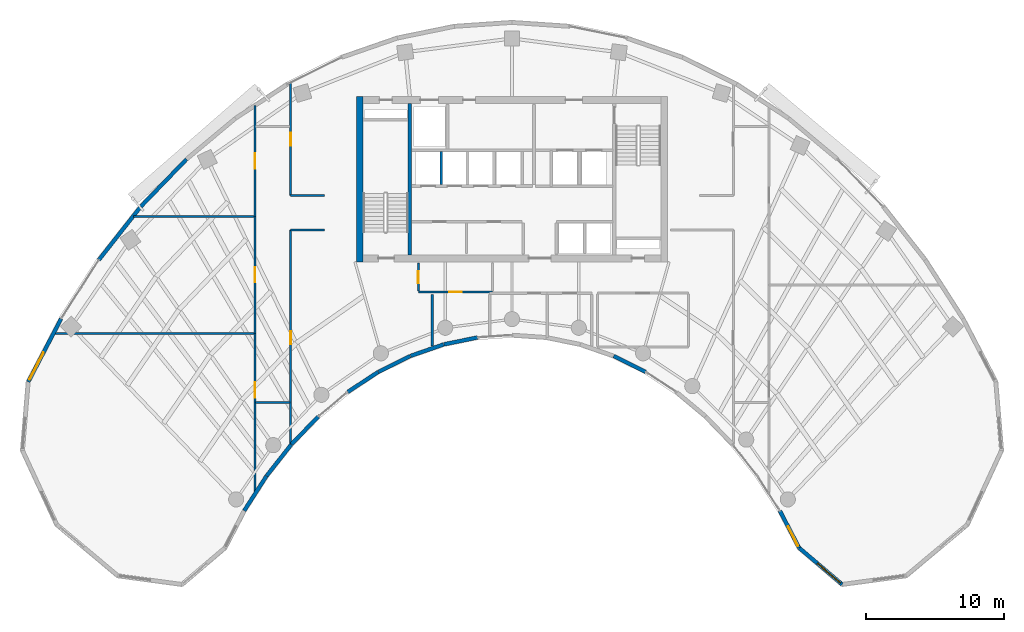
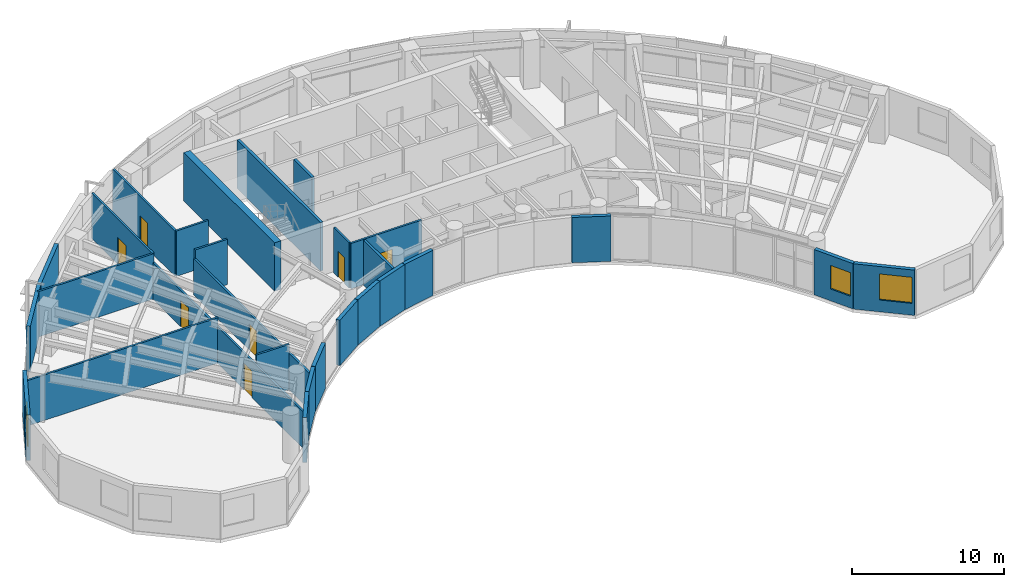
# One storey, part 7 of 12: 29 walls, 7 doors, 3 windows, 10 openings.
"""IFC4 building model written with IfcOpenShell, lengths in metres."""

import ifcopenshell
import ifcopenshell.guid

model = None  # the IFC model being written
_history = None  # IfcOwnerHistory: only IFC2X3 demands one
_inside = {}  # id of a spatial element -> (the spatial element, [elements in it])
_under = {}  # id of a project, library or spatial element -> (it, [spatial elements below it])
_declared = {}  # id of a project -> (the project, [libraries it declares])
_typed = {}  # id of a type object -> (the type object, [elements of that type])
_made_of = {}  # id of a material, layer set ... -> (it, [elements and type objects made of it])


def new_model(schema):
    """Start an empty IFC model of exactly this schema.

    Asked for "IFC4X3", IfcOpenShell would pick the latest addendum, in which some entities
    have other attributes; the version numbers below select the first issue.
    IFC2X3 requires an IfcOwnerHistory on every rooted entity: one is made here for all.
    """
    global model, _history
    if schema == "IFC4X3":
        model = ifcopenshell.file(schema_version=(4, 3, 0, 0))
    else:
        model = ifcopenshell.file(schema=schema)
    _inside.clear()
    _under.clear()
    _declared.clear()
    _typed.clear()
    _made_of.clear()
    _history = None
    if model.schema == "IFC2X3":
        org = make("IfcOrganization", Name="unknown")
        user = make(
            "IfcPersonAndOrganization",
            ThePerson=make("IfcPerson", FamilyName="unknown"),
            TheOrganization=org,
        )
        app = make(
            "IfcApplication",
            ApplicationDeveloper=org,
            Version="unknown",
            ApplicationFullName="unknown",
            ApplicationIdentifier="unknown",
        )
        _history = make(
            "IfcOwnerHistory",
            OwningUser=user,
            OwningApplication=app,
            ChangeAction="ADDED",
            CreationDate=0,
        )
    return model


def make(cls, **values):
    """One entity of the class cls with the attributes given. An attribute that is None is left unset."""
    return model.create_entity(
        cls, **{name: value for name, value in values.items() if value is not None}
    )


def rooted(cls, **values):
    """An entity with a GlobalId (a new one), such as an element, a storey or a relation."""
    return make(cls, GlobalId=ifcopenshell.guid.new(), OwnerHistory=_history, **values)


def si_unit(unit_type, name, prefix=None):
    """IfcSIUnit, for example si_unit("LENGTHUNIT", "METRE", prefix="MILLI")."""
    return make("IfcSIUnit", UnitType=unit_type, Prefix=prefix, Name=name)


def assignment(units):
    """IfcUnitAssignment: the units of a project."""
    return None if units is None else make("IfcUnitAssignment", Units=units)


def point(xyz):
    """IfcCartesianPoint."""
    return None if xyz is None else make("IfcCartesianPoint", Coordinates=xyz)


def direction(xyz):
    """IfcDirection."""
    return None if xyz is None else make("IfcDirection", DirectionRatios=xyz)


def frame(location, z_axis=None, x_axis=None):
    """IfcAxis2Placement3D, a coordinate frame: its origin and axes. An axis left out is left unset."""
    return make(
        "IfcAxis2Placement3D",
        Location=point(location),
        Axis=direction(z_axis),
        RefDirection=direction(x_axis),
    )


def frame_2d(location, x_axis=None):
    """IfcAxis2Placement2D, a coordinate frame in the plane: its origin and x axis."""
    return make(
        "IfcAxis2Placement2D", Location=point(location), RefDirection=direction(x_axis)
    )


def origin():
    """The frame at (0, 0, 0) with its axes left unset."""
    return frame((0.0, 0.0, 0.0))


def place(relative_to, where):
    """IfcLocalPlacement: puts the frame where relative to a parent placement (None: the world)."""
    return make(
        "IfcLocalPlacement", PlacementRelTo=relative_to, RelativePlacement=where
    )


def context(
    kind, dimensions, precision=None, world=None, true_north=None, identifier=None
):
    """IfcGeometricRepresentationContext, for example the 3D "Model" context."""
    return make(
        "IfcGeometricRepresentationContext",
        ContextIdentifier=identifier,
        ContextType=kind,
        CoordinateSpaceDimension=dimensions,
        Precision=precision,
        WorldCoordinateSystem=world,
        TrueNorth=true_north,
    )


def subcontext(parent, identifier, kind, view, scale=None):
    """IfcGeometricRepresentationSubContext, for example "Body" below "Model"."""
    return make(
        "IfcGeometricRepresentationSubContext",
        ContextIdentifier=identifier,
        ContextType=kind,
        ParentContext=parent,
        TargetScale=scale,
        TargetView=view,
    )


def project(units=None, contexts=None):
    """IfcProject with its units and contexts."""
    return rooted(
        "IfcProject",
        Name="project",
        RepresentationContexts=contexts,
        UnitsInContext=assignment(units),
    )


def spatial(cls, under=None, at=None, **own):
    """A site, building, storey or space (cls), placed at a placement, below another one or the project."""
    s = rooted(cls, ObjectPlacement=at, **own)
    if under is not None:
        _under.setdefault(under.id(), (under, []))[1].append(s)
    return s


def profile(cls, at=None, kind="AREA", **sizes):
    """A parametric profile (cls). Its sizes go by their IFC names, for example OverallWidth=200.0."""
    return make(cls, ProfileType=kind, Position=at, **sizes)


def rectangle(**sizes):
    """IfcRectangleProfileDef."""
    return profile("IfcRectangleProfileDef", **sizes)


def extrude(swept, where, along, depth):
    """IfcExtrudedAreaSolid: the profile swept, set in the frame where, extruded along a direction by depth."""
    return make(
        "IfcExtrudedAreaSolid",
        SweptArea=swept,
        Position=where,
        ExtrudedDirection=direction(along),
        Depth=depth,
    )


def shape(context_of_items, identifier, shape_type, items):
    """IfcShapeRepresentation: the items that make up one representation, for example the "Body"."""
    return make(
        "IfcShapeRepresentation",
        ContextOfItems=context_of_items,
        RepresentationIdentifier=identifier,
        RepresentationType=shape_type,
        Items=items,
    )


def source(mapping_origin, context_of_items, identifier, shape_type, items):
    """IfcRepresentationMap: a shape defined once, which mapped items show again and again."""
    return make(
        "IfcRepresentationMap",
        MappingOrigin=mapping_origin,
        MappedRepresentation=shape(context_of_items, identifier, shape_type, items),
    )


def transform(
    local_origin,
    x_axis=None,
    y_axis=None,
    z_axis=None,
    scale=None,
    scale2=None,
    scale3=None,
    uniform=True,
):
    """IfcCartesianTransformationOperator3D, or its non-uniform kind. x_axis, y_axis, z_axis: its Axis1, 2, 3."""
    if uniform:
        return make(
            "IfcCartesianTransformationOperator3D",
            Axis1=direction(x_axis),
            Axis2=direction(y_axis),
            LocalOrigin=point(local_origin),
            Scale=scale,
            Axis3=direction(z_axis),
        )
    return make(
        "IfcCartesianTransformationOperator3DnonUniform",
        Axis1=direction(x_axis),
        Axis2=direction(y_axis),
        LocalOrigin=point(local_origin),
        Scale=scale,
        Axis3=direction(z_axis),
        Scale2=scale2,
        Scale3=scale3,
    )


def mapped(mapping_source, mapping_target):
    """IfcMappedItem: shows the shape of a source again, moved by a transform."""
    return make(
        "IfcMappedItem", MappingSource=mapping_source, MappingTarget=mapping_target
    )


def material(Name=None, Category=None):
    """IfcMaterial."""
    return make("IfcMaterial", Name=Name, Category=Category)


def layer(
    of_material, thickness, ventilated=None, Name=None, Category=None, Priority=None
):
    """IfcMaterialLayer: one layer of a wall or slab, of a material (None: an air gap)."""
    return make(
        "IfcMaterialLayer",
        Material=of_material,
        LayerThickness=thickness,
        IsVentilated=ventilated,
        Name=Name,
        Category=Category,
        Priority=Priority,
    )


def layer_set(layers, Name=None):
    """IfcMaterialLayerSet."""
    return make("IfcMaterialLayerSet", MaterialLayers=layers, LayerSetName=Name)


def made_of(thing, what):
    """Note that an element or type object is made of a material, layer set ...; save() writes the relation."""
    if what is not None:
        _made_of.setdefault(what.id(), (what, []))[1].append(thing)
    return thing


def type_object(cls, material=None, **own):
    """A type object (cls), such as IfcWallType, which elements share."""
    return made_of(rooted(cls, **own), material)


def type_shapes(of_type, sources):
    """Give a type object the sources (RepresentationMaps) that its elements show as mapped items."""
    of_type.RepresentationMaps = sources


def element(
    cls,
    number,
    at=None,
    inside=None,
    cuts=None,
    type_object=None,
    material=None,
    context=None,
    identifier="Body",
    shape_type=None,
    held_by="IfcProductDefinitionShape",
    body=None,
    shapes=None,
    **own,
):
    """One element of the class cls, such as IfcWall. Its Tag is "e" and its number.

    at: its placement. inside: the storey or other place that contains it. cuts: it is an
    opening in that element (IfcRelVoidsElement). A single representation is given by context,
    identifier, shape_type and body (its items); several are given by shapes. held_by: the class
    of the entity that holds the representations. save() writes the other relations.
    """
    e = rooted(cls, Tag="e%d" % number, ObjectPlacement=at, **own)
    if body is not None:
        shapes = [shape(context, identifier, shape_type, body)]
    if shapes is not None:
        e.Representation = make(held_by, Representations=shapes)
    if inside is not None:
        _inside.setdefault(inside.id(), (inside, []))[1].append(e)
    if cuts is not None:
        rooted(
            "IfcRelVoidsElement", RelatingBuildingElement=cuts, RelatedOpeningElement=e
        )
    if type_object is not None:
        _typed.setdefault(type_object.id(), (type_object, []))[1].append(e)
    return made_of(e, material)


def fill(opening, filler):
    """IfcRelFillsElement: the door or window that sits in an opening."""
    return rooted(
        "IfcRelFillsElement",
        RelatingOpeningElement=opening,
        RelatedBuildingElement=filler,
    )


def aggregate(whole, parts):
    """IfcRelAggregates: a whole, such as a stair, and the parts it consists of."""
    return rooted("IfcRelAggregates", RelatingObject=whole, RelatedObjects=parts)


def save(model, path):
    """Write the relations noted so far, then the file.

    IfcRelAggregates (storeys below a building ...), IfcRelContainedInSpatialStructure (elements
    in a storey), IfcRelDefinesByType, IfcRelAssociatesMaterial and IfcRelDeclares: one each for
    every whole, place, type object, material and project.
    """
    for whole, parts in _under.values():
        aggregate(whole, parts)
    for where, things in _inside.values():
        rooted(
            "IfcRelContainedInSpatialStructure",
            RelatedElements=things,
            RelatingStructure=where,
        )
    for kind, things in _typed.values():
        rooted("IfcRelDefinesByType", RelatedObjects=things, RelatingType=kind)
    for what, things in _made_of.values():
        rooted("IfcRelAssociatesMaterial", RelatedObjects=things, RelatingMaterial=what)
    for by, libraries in _declared.values():
        rooted("IfcRelDeclares", RelatingContext=by, RelatedDefinitions=libraries)
    model.write(path)


model = new_model("IFC4")

# Units and contexts
model_context = context("Model", 3, precision=1e-05, world=origin(), true_north=direction((0.0, 1.0)))
body_context = subcontext(model_context, "Body", "Model", "MODEL_VIEW")
ifc_project = project(units=[si_unit("LENGTHUNIT", "METRE"), si_unit("AREAUNIT", "SQUARE_METRE"), si_unit("VOLUMEUNIT", "CUBIC_METRE"), si_unit("PLANEANGLEUNIT", "RADIAN"), si_unit("MASSUNIT", "GRAM", prefix="KILO")], contexts=[model_context])

# Site, building, storey
site_placement = place(None, origin())
site = spatial("IfcSite", under=ifc_project, at=site_placement, CompositionType="ELEMENT")
building_placement = place(site_placement, origin())
building = spatial("IfcBuilding", under=site, at=building_placement, Name="Breltana Convention Tower", CompositionType="ELEMENT")
storey_placement = place(building_placement, frame((0.0, 0.0, 150.60009765625)))
storey = spatial("IfcBuildingStorey", under=building, at=storey_placement, Name="L36", CompositionType="ELEMENT", Elevation=150.60009765625)

# Walls
ifc_material_1 = material(Name="Concrete C60/75", Category="concrete")
ifc_layer_1 = layer(ifc_material_1, 0.5, Name="Concrete C60/75")
ifc_layer_set_1 = layer_set([ifc_layer_1], Name="Concrete C60/75")
wall_type_1 = type_object("IfcWallType", Name="SW-CORE-500", PredefinedType="SHEAR", material=ifc_layer_set_1)
shared_shape_1 = source(origin(), body_context, "Body", "SweptSolid", [
    extrude(rectangle(XDim=12.0, YDim=0.5, at=frame_2d((6.0, 0.0))), origin(), (0.0, 0.0, 1.0), 3.89990234375),
])
wall_1_placement = place(storey_placement, frame((36.949951171875, 60.199951171875, 0.0), z_axis=(0.0, 0.0, 1.0), x_axis=(0.0, 1.0, 0.0)))
element("IfcWall", 1, at=wall_1_placement, inside=storey, type_object=wall_type_1, Name="L36 West Core Shear Wall", PredefinedType="SHEAR", context=body_context, shape_type="MappedRepresentation", body=[
    mapped(shared_shape_1, transform((0.0, 0.0, 0.0), scale=1.0)),
])
ifc_material_2 = material(Name="Concrete C50/60", Category="concrete")
ifc_layer_2 = layer(ifc_material_2, 0.39990234375, Name="Concrete C50/60")
ifc_layer_set_2 = layer_set([ifc_layer_2], Name="Concrete C50/60")
wall_type_2 = type_object("IfcWallType", Name="SW-CORE-400", PredefinedType="SHEAR", material=ifc_layer_set_2)
shared_shape_2 = source(origin(), body_context, "Body", "SweptSolid", [
    extrude(rectangle(XDim=11.0, YDim=0.219970703125, at=frame_2d((5.5, 0.0))), origin(), (0.0, 0.0, 1.0), 3.89990234375),
])
wall_2_placement = place(storey_placement, frame((40.580078125, 60.699951171875, 0.0), z_axis=(0.0, 0.0, 1.0), x_axis=(0.0, 1.0, 0.0)))
element("IfcWall", 2, at=wall_2_placement, inside=storey, type_object=wall_type_2, Name="L36 Core West Stair Spine Wall", PredefinedType="SHEAR", context=body_context, shape_type="MappedRepresentation", body=[
    mapped(shared_shape_2, transform((0.0, 0.0, 0.0), scale=1.0)),
])

# Wall, opening, window
ifc_material_3 = material(Name="Limestone Buff Insulated Wall", Category="masonry")
ifc_layer_3 = layer(ifc_material_3, 0.280029296875, Name="Limestone Buff Insulated Wall")
ifc_layer_set_3 = layer_set([ifc_layer_3], Name="Limestone Buff Insulated Wall")
wall_type_3 = type_object("IfcWallType", Name="WL-EXT-NOSE-280", PredefinedType="SOLIDWALL", material=ifc_layer_set_3)
shared_shape_3 = source(origin(), body_context, "Body", "SweptSolid", [
    extrude(rectangle(XDim=4.095947265625, YDim=0.280029296875, at=frame_2d((2.0478515625, 0.0))), origin(), (0.0, 0.0, 1.0), 3.64990234375),
])
wall_3_placement = place(storey_placement, frame((71.95654296875, 36.78759765625, 0.0), z_axis=(0.0, 0.0, 1.0), x_axis=(-0.761926081737, 0.647663991564, 0.0)))
wall_3 = element("IfcWall", 3, at=wall_3_placement, inside=storey, type_object=wall_type_3, Name="L36 curved limestone nose wall E5", PredefinedType="SOLIDWALL", context=body_context, shape_type="MappedRepresentation", body=[
    mapped(shared_shape_3, transform((0.0, 0.0, 0.0), scale=1.0)),
])
opening_1_placement = place(wall_3_placement, frame((0.159912109375, 0.0, 0.949951171875)))
opening_1 = element("IfcOpeningElement", 4, at=opening_1_placement, cuts=wall_3, Name="Opening W-03", PredefinedType="OPENING", context=body_context, shape_type="SweptSolid", body=[
    extrude(rectangle(XDim=2.199951171875, YDim=2.10009765625, at=frame_2d((1.10009765625, 1.050048828125))), frame((0.0, 0.14990234375, 0.0), z_axis=(0.0, -1.0, 0.0), x_axis=(1.0, 0.0, 0.0)), (0.0, 0.0, 1.0), 0.300048828125),
])
ifc_material_4 = material(Name="Glass Low-E Insulated Window", Category="glass")
window_type_1 = type_object("IfcWindowType", Name="WN-NOSE-2200X2100", PartitioningType="TRIPLE_PANEL_VERTICAL", PredefinedType="WINDOW", material=ifc_material_4)
shared_shape_4 = source(origin(), body_context, "Body", "SweptSolid", [
    extrude(rectangle(XDim=2.199951171875, YDim=2.10009765625, at=frame_2d((1.10009765625, 1.050048828125))), frame((0.0, 0.030029296875, 0.0), z_axis=(0.0, -1.0, 0.0), x_axis=(1.0, 0.0, 0.0)), (0.0, 0.0, 1.0), 0.06005859375),
])
type_shapes(window_type_1, [shared_shape_4])
window_1_placement = place(opening_1_placement, origin())
window_1 = element("IfcWindow", 5, at=window_1_placement, inside=storey, type_object=window_type_1, Name="L36 nose window E5", OverallHeight=2.10009765625, OverallWidth=2.199951171875, PartitioningType="TRIPLE_PANEL_VERTICAL", PredefinedType="WINDOW", context=body_context, shape_type="MappedRepresentation", body=[
    mapped(shared_shape_4, transform((0.0, 0.0, 0.0), scale=1.0)),
])
fill(opening_1, window_1)

shared_shape_5 = source(origin(), body_context, "Body", "SweptSolid", [
    extrude(rectangle(XDim=3.02392578125, YDim=0.280029296875, at=frame_2d((1.511962890625, 0.0))), origin(), (0.0, 0.0, 1.0), 3.64990234375),
])
wall_4_placement = place(storey_placement, frame((68.835693359375, 39.4404296875, 0.0), z_axis=(0.0, 0.0, 1.0), x_axis=(-0.461718746531, 0.887026380161, 0.0)))
wall_4 = element("IfcWall", 6, at=wall_4_placement, inside=storey, type_object=wall_type_3, Name="L36 curved limestone nose wall E6", PredefinedType="SOLIDWALL", context=body_context, shape_type="MappedRepresentation", body=[
    mapped(shared_shape_5, transform((0.0, 0.0, 0.0), scale=1.0)),
])
opening_2_placement = place(wall_4_placement, frame((0.159912109375, 0.0, 0.949951171875)))
opening_2 = element("IfcOpeningElement", 7, at=opening_2_placement, cuts=wall_4, Name="Opening W-04", PredefinedType="OPENING", context=body_context, shape_type="SweptSolid", body=[
    extrude(rectangle(XDim=1.60009765625, YDim=1.89990234375, at=frame_2d((0.800048828125, 0.949951171875))), frame((0.0, 0.14990234375, 0.0), z_axis=(0.0, -1.0, 0.0), x_axis=(1.0, 0.0, 0.0)), (0.0, 0.0, 1.0), 0.300048828125),
])
window_type_2 = type_object("IfcWindowType", Name="WN-NOSE-1600X1900", PartitioningType="SINGLE_PANEL", PredefinedType="WINDOW", material=ifc_material_4)
shared_shape_6 = source(origin(), body_context, "Body", "SweptSolid", [
    extrude(rectangle(XDim=1.60009765625, YDim=1.89990234375, at=frame_2d((0.800048828125, 0.949951171875))), frame((0.0, 0.030029296875, 0.0), z_axis=(0.0, -1.0, 0.0), x_axis=(1.0, 0.0, 0.0)), (0.0, 0.0, 1.0), 0.06005859375),
])
type_shapes(window_type_2, [shared_shape_6])
window_2_placement = place(opening_2_placement, origin())
window_2 = element("IfcWindow", 8, at=window_2_placement, inside=storey, type_object=window_type_2, Name="L36 nose window E6", OverallHeight=1.89990234375, OverallWidth=1.60009765625, PartitioningType="SINGLE_PANEL", PredefinedType="WINDOW", context=body_context, shape_type="MappedRepresentation", body=[
    mapped(shared_shape_6, transform((0.0, 0.0, 0.0), scale=1.0)),
])
fill(opening_2, window_2)

# Walls
shared_shape_7 = source(origin(), body_context, "Body", "SweptSolid", [
    extrude(rectangle(XDim=2.812255859375, YDim=0.280029296875, at=frame_2d((1.40625, 0.0))), origin(), (0.0, 0.0, 1.0), 3.64990234375),
])
wall_5_placement = place(storey_placement, frame((33.945068359375, 48.973388671875, 0.0), z_axis=(0.0, 0.0, 1.0), x_axis=(-0.694583668785, -0.719411931411, 0.0)))
element("IfcWall", 9, at=wall_5_placement, inside=storey, type_object=wall_type_3, Name="L36 curved limestone nose wall E17", PredefinedType="SOLIDWALL", context=body_context, shape_type="MappedRepresentation", body=[
    mapped(shared_shape_7, transform((0.0, 0.0, 0.0), scale=1.0)),
])
shared_shape_8 = source(origin(), body_context, "Body", "SweptSolid", [
    extrude(rectangle(XDim=2.58447265625, YDim=0.280029296875, at=frame_2d((1.292236328125, 0.0))), origin(), (0.0, 0.0, 1.0), 3.64990234375),
])
for number, where, z_axis, x_axis, name in (
    (10, (57.692138671875, 52.21337890625, 0.0), (0.0, 0.0, 1.0), (-0.895989792847, 0.44407464588, 0.0), "L36 curved limestone nose wall E9"),
    (11, (40.62353515625, 53.361083984375, 0.0), (0.0, 0.0, 1.0), (-0.895989792847, -0.44407464588, 0.0), "L36 curved limestone nose wall E15"),
):
    element("IfcWall", number, at=place(storey_placement, frame(where, z_axis=z_axis, x_axis=x_axis)), inside=storey, type_object=wall_type_3, Name=name, PredefinedType="SOLIDWALL", context=body_context, shape_type="MappedRepresentation", body=[
        mapped(shared_shape_8, transform((0.0, 0.0, 0.0), scale=1.0)),
    ])
shared_shape_9 = source(origin(), body_context, "Body", "SweptSolid", [
    extrude(rectangle(XDim=2.52978515625, YDim=0.280029296875, at=frame_2d((1.264892578125, 0.0))), origin(), (0.0, 0.0, 1.0), 3.64990234375),
])
wall_6_placement = place(storey_placement, frame((43.034912109375, 54.1982421875, 0.0), z_axis=(0.0, 0.0, 1.0), x_axis=(-0.944872429646, -0.327438683872, 0.0)))
element("IfcWall", 12, at=wall_6_placement, inside=storey, type_object=wall_type_3, Name="L36 curved limestone nose wall E14", PredefinedType="SOLIDWALL", context=body_context, shape_type="MappedRepresentation", body=[
    mapped(shared_shape_9, transform((0.0, 0.0, 0.0), scale=1.0)),
])
shared_shape_10 = source(origin(), body_context, "Body", "SweptSolid", [
    extrude(rectangle(XDim=2.4912109375, YDim=0.280029296875, at=frame_2d((1.24560546875, 0.0))), origin(), (0.0, 0.0, 1.0), 3.64990234375),
])
wall_7_placement = place(storey_placement, frame((45.498046875, 54.704833984375, 0.0), z_axis=(0.0, 0.0, 1.0), x_axis=(-0.979630885979, -0.200806691214, 0.0)))
element("IfcWall", 13, at=wall_7_placement, inside=storey, type_object=wall_type_3, Name="L36 curved limestone nose wall E13", PredefinedType="SOLIDWALL", context=body_context, shape_type="MappedRepresentation", body=[
    mapped(shared_shape_10, transform((0.0, 0.0, 0.0), scale=1.0)),
])
shared_shape_11 = source(origin(), body_context, "Body", "SweptSolid", [
    extrude(rectangle(XDim=2.65234375, YDim=0.280029296875, at=frame_2d((1.326171875, 0.0))), origin(), (0.0, 0.0, 1.0), 3.64990234375),
])
wall_8_placement = place(storey_placement, frame((38.2890625, 52.202392578125, 0.0), z_axis=(0.0, 0.0, 1.0), x_axis=(-0.836008323535, -0.54871676025, 0.0)))
element("IfcWall", 14, at=wall_8_placement, inside=storey, type_object=wall_type_3, Name="L36 curved limestone nose wall E16", PredefinedType="SOLIDWALL", context=body_context, shape_type="MappedRepresentation", body=[
    mapped(shared_shape_11, transform((0.0, 0.0, 0.0), scale=1.0)),
])
shared_shape_12 = source(origin(), body_context, "Body", "SweptSolid", [
    extrude(rectangle(XDim=2.89697265625, YDim=0.280029296875, at=frame_2d((1.448486328125, 0.0))), origin(), (0.0, 0.0, 1.0), 3.64990234375),
])
wall_9_placement = place(storey_placement, frame((31.9794921875, 46.936279296875, 0.0), z_axis=(0.0, 0.0, 1.0), x_axis=(-0.618167636915, -0.786046291685, 0.0)))
element("IfcWall", 15, at=wall_9_placement, inside=storey, type_object=wall_type_3, Name="L36 curved limestone nose wall E18", PredefinedType="SOLIDWALL", context=body_context, shape_type="MappedRepresentation", body=[
    mapped(shared_shape_12, transform((0.0, 0.0, 0.0), scale=1.0)),
])
shared_shape_13 = source(origin(), body_context, "Body", "SweptSolid", [
    extrude(rectangle(XDim=2.980712890625, YDim=0.280029296875, at=frame_2d((1.490234375, 0.0))), origin(), (0.0, 0.0, 1.0), 3.64990234375),
])
wall_10_placement = place(storey_placement, frame((30.1787109375, 44.64501953125, 0.0), z_axis=(0.0, 0.0, 1.0), x_axis=(-0.540194451908, -0.841540227278, 0.0)))
element("IfcWall", 16, at=wall_10_placement, inside=storey, type_object=wall_type_3, Name="L36 curved limestone nose wall E19", PredefinedType="SOLIDWALL", context=body_context, shape_type="MappedRepresentation", body=[
    mapped(shared_shape_13, transform((0.0, 0.0, 0.0), scale=1.0)),
])

# Wall, opening, window
shared_shape_14 = source(origin(), body_context, "Body", "SweptSolid", [
    extrude(rectangle(XDim=5.1708984375, YDim=0.280029296875, at=frame_2d((2.58544921875, 0.0))), origin(), (0.0, 0.0, 1.0), 3.64990234375),
])
wall_11_placement = place(storey_placement, frame((12.897705078125, 51.48876953125, 0.0), z_axis=(0.0, 0.0, 1.0), x_axis=(0.461752581363, 0.887008767491, 0.0)))
wall_11 = element("IfcWall", 17, at=wall_11_placement, inside=storey, type_object=wall_type_3, Name="L36 curved limestone nose wall W7", PredefinedType="SOLIDWALL", context=body_context, shape_type="MappedRepresentation", body=[
    mapped(shared_shape_14, transform((0.0, 0.0, 0.0), scale=1.0)),
])
opening_3_placement = place(wall_11_placement, frame((0.19287109375, 0.0, 0.949951171875)))
opening_3 = element("IfcOpeningElement", 18, at=opening_3_placement, cuts=wall_11, Name="Opening W-03", PredefinedType="OPENING", context=body_context, shape_type="SweptSolid", body=[
    extrude(rectangle(XDim=2.199951171875, YDim=2.10009765625, at=frame_2d((1.10009765625, 1.050048828125))), frame((0.0, 0.14990234375, 0.0), z_axis=(0.0, -1.0, 0.0), x_axis=(1.0, 0.0, 0.0)), (0.0, 0.0, 1.0), 0.300048828125),
])
window_3_placement = place(opening_3_placement, origin())
window_3 = element("IfcWindow", 19, at=window_3_placement, inside=storey, type_object=window_type_1, Name="L36 nose window W7", OverallHeight=2.10009765625, OverallWidth=2.199951171875, PartitioningType="TRIPLE_PANEL_VERTICAL", PredefinedType="WINDOW", context=body_context, shape_type="MappedRepresentation", body=[
    mapped(shared_shape_4, transform((0.0, 0.0, 0.0), scale=1.0)),
])
fill(opening_3, window_3)

# Walls
shared_shape_15 = source(origin(), body_context, "Body", "SweptSolid", [
    extrude(rectangle(XDim=4.921630859375, YDim=0.280029296875, at=frame_2d((2.4609375, 0.0))), origin(), (0.0, 0.0, 1.0), 3.64990234375),
])
wall_12_placement = place(storey_placement, frame((18.021240234375, 60.337646484375, 0.0), z_axis=(0.0, 0.0, 1.0), x_axis=(0.61817639101, 0.786039407153, 0.0)))
element("IfcWall", 20, at=wall_12_placement, inside=storey, type_object=wall_type_3, Name="L36 curved limestone nose wall E20", PredefinedType="SOLIDWALL", context=body_context, shape_type="MappedRepresentation", body=[
    mapped(shared_shape_15, transform((0.0, 0.0, 0.0), scale=1.0)),
])
shared_shape_16 = source(origin(), body_context, "Body", "SweptSolid", [
    extrude(rectangle(XDim=4.77587890625, YDim=0.280029296875, at=frame_2d((2.387939453125, 0.0))), origin(), (0.0, 0.0, 1.0), 3.64990234375),
])
wall_13_placement = place(storey_placement, frame((21.063720703125, 64.206298828125, 0.0), z_axis=(0.0, 0.0, 1.0), x_axis=(0.694601811851, 0.719394414055, 0.0)))
element("IfcWall", 21, at=wall_13_placement, inside=storey, type_object=wall_type_3, Name="L36 curved limestone nose wall E21", PredefinedType="SOLIDWALL", context=body_context, shape_type="MappedRepresentation", body=[
    mapped(shared_shape_16, transform((0.0, 0.0, 0.0), scale=1.0)),
])
ifc_material_5 = material(Name="Autoclaved Aerated Concrete Block", Category="concrete")
ifc_layer_4 = layer(ifc_material_5, 0.199951171875, Name="Autoclaved Aerated Concrete Block")
ifc_layer_set_4 = layer_set([ifc_layer_4], Name="Autoclaved Aerated Concrete Block")
wall_type_4 = type_object("IfcWallType", Name="WL-SHAFT-200", PredefinedType="SOLIDWALL", material=ifc_layer_set_4)
shared_shape_17 = source(origin(), body_context, "Body", "SweptSolid", [
    extrude(rectangle(XDim=2.39990234375, YDim=0.199951171875, at=frame_2d((1.199951171875, 0.0))), origin(), (0.0, 0.0, 1.0), 3.64990234375),
])
wall_14_placement = place(storey_placement, frame((42.8701171875, 65.800048828125, 0.0), z_axis=(0.0, 0.0, 1.0), x_axis=(0.0, 1.0, 0.0)))
element("IfcWall", 22, at=wall_14_placement, inside=storey, type_object=wall_type_4, Name="L36 interior partition W-L36-SH-M-DIV1", PredefinedType="SOLIDWALL", context=body_context, shape_type="MappedRepresentation", body=[
    mapped(shared_shape_17, transform((0.0, 0.0, 0.0), scale=1.0)),
])
ifc_material_6 = material(Name="Cement Board Wet-Area Partition")
ifc_layer_5 = layer(ifc_material_6, 0.175048828125, Name="Cement Board Wet-Area Partition")
ifc_layer_set_5 = layer_set([ifc_layer_5], Name="Cement Board Wet-Area Partition")
wall_type_5 = type_object("IfcWallType", Name="WL-WET-175", PredefinedType="PARTITIONING", material=ifc_layer_set_5)
shared_shape_18 = source(origin(), body_context, "Body", "SweptSolid", [
    extrude(rectangle(XDim=3.7626953125, YDim=0.175048828125, at=frame_2d((1.88134765625, 0.0))), origin(), (0.0, 0.0, 1.0), 3.64990234375),
])
wall_15_placement = place(storey_placement, frame((42.199951171875, 54.07861328125, 0.0), z_axis=(0.0, 0.0, 1.0), x_axis=(0.0, 1.0, 0.0)))
element("IfcWall", 23, at=wall_15_placement, inside=storey, type_object=wall_type_5, Name="L36 interior partition W-L36-WCM-W", PredefinedType="PARTITIONING", context=body_context, shape_type="MappedRepresentation", body=[
    mapped(shared_shape_18, transform((0.0, 0.0, 0.0), scale=1.0)),
])
ifc_material_7 = material(Name="Gypsum Acoustic Drywall Partition")
ifc_layer_6 = layer(ifc_material_7, 0.14990234375, Name="Gypsum Acoustic Drywall Partition")
ifc_layer_set_6 = layer_set([ifc_layer_6], Name="Gypsum Acoustic Drywall Partition")
wall_type_6 = type_object("IfcWallType", Name="WL-PART-150", PredefinedType="PARTITIONING", material=ifc_layer_set_6)
shared_shape_19 = source(origin(), body_context, "Body", "SweptSolid", [
    extrude(rectangle(XDim=2.5, YDim=0.14990234375, at=frame_2d((1.25, 0.0))), origin(), (0.0, 0.0, 1.0), 3.64990234375),
])
wall_16_placement = place(storey_placement, frame((29.39990234375, 50.0, 0.0), z_axis=(0.0, 0.0, 1.0), x_axis=(1.0, 0.0, 0.0)))
element("IfcWall", 24, at=wall_16_placement, inside=storey, type_object=wall_type_6, Name="L36 interior partition W-L36-CORNW-S", PredefinedType="PARTITIONING", context=body_context, shape_type="MappedRepresentation", body=[
    mapped(shared_shape_19, transform((0.0, 0.0, 0.0), scale=1.0)),
])

# Wall, opening, door
shared_shape_20 = source(origin(), body_context, "Body", "SweptSolid", [
    extrude(rectangle(XDim=5.400146484375, YDim=0.14990234375, at=frame_2d((2.7001953125, 0.0))), origin(), (0.0, 0.0, 1.0), 3.64990234375),
])
wall_17_placement = place(storey_placement, frame((41.199951171875, 58.0, 0.0), z_axis=(0.0, 0.0, 1.0), x_axis=(1.0, 0.0, 0.0)))
wall_17 = element("IfcWall", 25, at=wall_17_placement, inside=storey, type_object=wall_type_6, Name="L36 interior partition W-L36-CRSC-S", PredefinedType="PARTITIONING", context=body_context, shape_type="MappedRepresentation", body=[
    mapped(shared_shape_20, transform((0.0, 0.0, 0.0), scale=1.0)),
])
opening_4_placement = place(wall_17_placement, frame((2.25, 0.0, 0.0)))
opening_4 = element("IfcOpeningElement", 26, at=opening_4_placement, cuts=wall_17, Name="Opening D-19", PredefinedType="OPENING", context=body_context, shape_type="SweptSolid", body=[
    extrude(rectangle(XDim=0.89990234375, YDim=2.080078125, at=frame_2d((0.449951171875, 1.0400390625))), frame((0.0, 0.0849609375, 0.0), z_axis=(0.0, -1.0, 0.0), x_axis=(1.0, 0.0, 0.0)), (0.0, 0.0, 1.0), 0.169921875),
])
ifc_material_8 = material(Name="Timber Moisture-Resistant Door", Category="wood")
door_type_1 = type_object("IfcDoorType", Name="DR-WC-900", OperationType="NOTDEFINED", PredefinedType="DOOR", material=ifc_material_8)
shared_shape_21 = source(origin(), body_context, "Body", "SweptSolid", [
    extrude(rectangle(XDim=0.89990234375, YDim=2.080078125, at=frame_2d((0.449951171875, 1.0400390625))), frame((0.0, 0.02490234375, 0.0), z_axis=(0.0, -1.0, 0.0), x_axis=(1.0, 0.0, 0.0)), (0.0, 0.0, 1.0), 0.050048828125),
])
type_shapes(door_type_1, [shared_shape_21])
door_1_placement = place(opening_4_placement, origin())
door_1 = element("IfcDoor", 27, at=door_1_placement, inside=storey, type_object=door_type_1, Name="L36 interior door D-L36-WCM", OperationType="SINGLE_SWING_RIGHT", OverallHeight=2.080078125, OverallWidth=0.89990234375, PredefinedType="DOOR", context=body_context, shape_type="MappedRepresentation", body=[
    mapped(shared_shape_21, transform((0.0, 0.0, 0.0), scale=1.0)),
])
fill(opening_4, door_1)

shared_shape_22 = source(origin(), body_context, "Body", "SweptSolid", [
    extrude(rectangle(XDim=2.03271484375, YDim=0.14990234375, at=frame_2d((1.016357421875, 0.0))), origin(), (0.0, 0.0, 1.0), 3.64990234375),
])
wall_18_placement = place(storey_placement, frame((41.199951171875, 58.0673828125, 0.0), z_axis=(0.0, 0.0, 1.0), x_axis=(0.0, 1.0, 0.0)))
wall_18 = element("IfcWall", 28, at=wall_18_placement, inside=storey, type_object=wall_type_6, Name="L36 interior partition W-L36-CRSC-W", PredefinedType="PARTITIONING", context=body_context, shape_type="MappedRepresentation", body=[
    mapped(shared_shape_22, transform((0.0, 0.0, 0.0), scale=1.0)),
])
opening_5_placement = place(wall_18_placement, frame((0.59130859375, 0.0, 0.0)))
opening_5 = element("IfcOpeningElement", 29, at=opening_5_placement, cuts=wall_18, Name="Opening D-20", PredefinedType="OPENING", context=body_context, shape_type="SweptSolid", body=[
    extrude(rectangle(XDim=0.85009765625, YDim=2.10009765625, at=frame_2d((0.425048828125, 1.050048828125))), frame((0.0, 0.0849609375, 0.0), z_axis=(0.0, -1.0, 0.0), x_axis=(1.0, 0.0, 0.0)), (0.0, 0.0, 1.0), 0.169921875),
])
ifc_material_9 = material(Name="Steel Closet Fire Door", Category="steel")
door_type_2 = type_object("IfcDoorType", Name="DR-FD60-850", OperationType="NOTDEFINED", PredefinedType="DOOR", material=ifc_material_9)
shared_shape_23 = source(origin(), body_context, "Body", "SweptSolid", [
    extrude(rectangle(XDim=0.85009765625, YDim=2.10009765625, at=frame_2d((0.425048828125, 1.050048828125))), frame((0.0, 0.02490234375, 0.0), z_axis=(0.0, -1.0, 0.0), x_axis=(1.0, 0.0, 0.0)), (0.0, 0.0, 1.0), 0.050048828125),
])
type_shapes(door_type_2, [shared_shape_23])
door_2_placement = place(opening_5_placement, origin())
door_2 = element("IfcDoor", 30, at=door_2_placement, inside=storey, type_object=door_type_2, Name="L36 interior door D-L36-CRSC", OperationType="SINGLE_SWING_LEFT", OverallHeight=2.10009765625, OverallWidth=0.85009765625, PredefinedType="DOOR", context=body_context, shape_type="MappedRepresentation", body=[
    mapped(shared_shape_23, transform((0.0, 0.0, 0.0), scale=1.0)),
])
fill(opening_5, door_2)

shared_shape_24 = source(origin(), body_context, "Body", "SweptSolid", [
    extrude(rectangle(XDim=11.61181640625, YDim=0.14990234375, at=frame_2d((5.805908203125, 0.0))), origin(), (0.0, 0.0, 1.0), 2.94189453125),
])
wall_19_placement = place(storey_placement, frame((29.360107421875, 43.38818359375, 0.0), z_axis=(0.0, 0.0, 1.0), x_axis=(0.0, 1.0, 0.0)))
wall_19 = element("IfcWall", 31, at=wall_19_placement, inside=storey, type_object=wall_type_6, Name="L36 interior partition W-L36-ZW1-E", PredefinedType="PARTITIONING", context=body_context, shape_type="MappedRepresentation", body=[
    mapped(shared_shape_24, transform((0.0, 0.0, 0.0), scale=1.0)),
])
opening_6_placement = place(wall_19_placement, frame((6.9619140625, 0.0, 0.0)))
opening_6 = element("IfcOpeningElement", 32, at=opening_6_placement, cuts=wall_19, Name="Opening D-12", PredefinedType="OPENING", context=body_context, shape_type="SweptSolid", body=[
    extrude(rectangle(XDim=1.10009765625, YDim=2.14990234375, at=frame_2d((0.550048828125, 1.074951171875))), frame((0.0, 0.0849609375, 0.0), z_axis=(0.0, -1.0, 0.0), x_axis=(1.0, 0.0, 0.0)), (0.0, 0.0, 1.0), 0.169921875),
])
ifc_material_10 = material(Name="Timber Oak Acoustic Door", Category="wood")
door_type_3 = type_object("IfcDoorType", Name="DR-INT-1100", OperationType="NOTDEFINED", PredefinedType="DOOR", material=ifc_material_10)
shared_shape_25 = source(origin(), body_context, "Body", "SweptSolid", [
    extrude(rectangle(XDim=1.10009765625, YDim=2.14990234375, at=frame_2d((0.550048828125, 1.074951171875))), frame((0.0, 0.02490234375, 0.0), z_axis=(0.0, -1.0, 0.0), x_axis=(1.0, 0.0, 0.0)), (0.0, 0.0, 1.0), 0.050048828125),
])
type_shapes(door_type_3, [shared_shape_25])
door_3_placement = place(opening_6_placement, origin())
door_3 = element("IfcDoor", 33, at=door_3_placement, inside=storey, type_object=door_type_3, Name="L36 interior door D-L36-ZW1", OperationType="SINGLE_SWING_RIGHT", OverallHeight=2.14990234375, OverallWidth=1.10009765625, PredefinedType="DOOR", context=body_context, shape_type="MappedRepresentation", body=[
    mapped(shared_shape_25, transform((0.0, 0.0, 0.0), scale=1.0)),
])
fill(opening_6, door_3)

# Wall
shared_shape_26 = source(origin(), body_context, "Body", "SweptSolid", [
    extrude(rectangle(XDim=14.623291015625, YDim=0.14990234375, at=frame_2d((7.3115234375, 0.0))), origin(), (0.0, 0.0, 1.0), 3.64990234375),
])
wall_20_placement = place(storey_placement, frame((14.73681640625, 55.0, 0.0), z_axis=(0.0, 0.0, 1.0), x_axis=(1.0, 0.0, 0.0)))
element("IfcWall", 34, at=wall_20_placement, inside=storey, type_object=wall_type_6, Name="L36 interior partition W-L36-ZW1-N", PredefinedType="PARTITIONING", context=body_context, shape_type="MappedRepresentation", body=[
    mapped(shared_shape_26, transform((0.0, 0.0, 0.0), scale=1.0)),
])

# Wall, opening, door
shared_shape_27 = source(origin(), body_context, "Body", "SweptSolid", [
    extrude(rectangle(XDim=8.5, YDim=0.14990234375, at=frame_2d((4.25, 0.0))), origin(), (0.0, 0.0, 1.0), 2.94189453125),
])
wall_21_placement = place(storey_placement, frame((29.360107421875, 55.0, 0.0), z_axis=(0.0, 0.0, 1.0), x_axis=(0.0, 1.0, 0.0)))
wall_21 = element("IfcWall", 35, at=wall_21_placement, inside=storey, type_object=wall_type_6, Name="L36 interior partition W-L36-ZW2-E", PredefinedType="PARTITIONING", context=body_context, shape_type="MappedRepresentation", body=[
    mapped(shared_shape_27, transform((0.0, 0.0, 0.0), scale=1.0)),
])
opening_7_placement = place(wall_21_placement, frame((3.699951171875, 0.0, 0.0)))
opening_7 = element("IfcOpeningElement", 36, at=opening_7_placement, cuts=wall_21, Name="Opening D-12", PredefinedType="OPENING", context=body_context, shape_type="SweptSolid", body=[
    extrude(rectangle(XDim=1.10009765625, YDim=2.14990234375, at=frame_2d((0.550048828125, 1.074951171875))), frame((0.0, 0.0849609375, 0.0), z_axis=(0.0, -1.0, 0.0), x_axis=(1.0, 0.0, 0.0)), (0.0, 0.0, 1.0), 0.169921875),
])
door_4_placement = place(opening_7_placement, origin())
door_4 = element("IfcDoor", 37, at=door_4_placement, inside=storey, type_object=door_type_3, Name="L36 interior door D-L36-ZW2", OperationType="SINGLE_SWING_LEFT", OverallHeight=2.14990234375, OverallWidth=1.10009765625, PredefinedType="DOOR", context=body_context, shape_type="MappedRepresentation", body=[
    mapped(shared_shape_25, transform((0.0, 0.0, 0.0), scale=1.0)),
])
fill(opening_7, door_4)

# Wall
shared_shape_28 = source(origin(), body_context, "Body", "SweptSolid", [
    extrude(rectangle(XDim=8.839111328125, YDim=0.14990234375, at=frame_2d((4.41943359375, 0.0))), origin(), (0.0, 0.0, 1.0), 3.64990234375),
])
wall_22_placement = place(storey_placement, frame((20.52099609375, 63.5, 0.0), z_axis=(0.0, 0.0, 1.0), x_axis=(1.0, 0.0, 0.0)))
element("IfcWall", 38, at=wall_22_placement, inside=storey, type_object=wall_type_6, Name="L36 interior partition W-L36-ZW2-N", PredefinedType="PARTITIONING", context=body_context, shape_type="MappedRepresentation", body=[
    mapped(shared_shape_28, transform((0.0, 0.0, 0.0), scale=1.0)),
])

# Wall, opening, door
shared_shape_29 = source(origin(), body_context, "Body", "SweptSolid", [
    extrude(rectangle(XDim=8.03076171875, YDim=0.14990234375, at=frame_2d((4.015380859375, 0.0))), origin(), (0.0, 0.0, 1.0), 3.64990234375),
])
wall_23_placement = place(storey_placement, frame((29.360107421875, 63.5, 0.0), z_axis=(0.0, 0.0, 1.0), x_axis=(0.0, 1.0, 0.0)))
wall_23 = element("IfcWall", 39, at=wall_23_placement, inside=storey, type_object=wall_type_6, Name="L36 interior partition W-L36-ZW3-E", PredefinedType="PARTITIONING", context=body_context, shape_type="MappedRepresentation", body=[
    mapped(shared_shape_29, transform((0.0, 0.0, 0.0), scale=1.0)),
])
opening_8_placement = place(wall_23_placement, frame((3.46533203125, 0.0, 0.0)))
opening_8 = element("IfcOpeningElement", 40, at=opening_8_placement, cuts=wall_23, Name="Opening D-12", PredefinedType="OPENING", context=body_context, shape_type="SweptSolid", body=[
    extrude(rectangle(XDim=1.10009765625, YDim=2.14990234375, at=frame_2d((0.550048828125, 1.074951171875))), frame((0.0, 0.0849609375, 0.0), z_axis=(0.0, -1.0, 0.0), x_axis=(1.0, 0.0, 0.0)), (0.0, 0.0, 1.0), 0.169921875),
])
door_5_placement = place(opening_8_placement, origin())
door_5 = element("IfcDoor", 41, at=door_5_placement, inside=storey, type_object=door_type_3, Name="L36 interior door D-L36-ZW3", OperationType="SINGLE_SWING_RIGHT", OverallHeight=2.14990234375, OverallWidth=1.10009765625, PredefinedType="DOOR", context=body_context, shape_type="MappedRepresentation", body=[
    mapped(shared_shape_25, transform((0.0, 0.0, 0.0), scale=1.0)),
])
fill(opening_8, door_5)

shared_shape_30 = source(origin(), body_context, "Body", "SweptSolid", [
    extrude(rectangle(XDim=15.597900390625, YDim=0.14990234375, at=frame_2d((7.798828125, 0.0))), origin(), (0.0, 0.0, 1.0), 2.94189453125),
])
wall_24_placement = place(storey_placement, frame((31.93994140625, 46.902099609375, 0.0), z_axis=(0.0, 0.0, 1.0), x_axis=(0.0, 1.0, 0.0)))
wall_24 = element("IfcWall", 42, at=wall_24_placement, inside=storey, type_object=wall_type_6, Name="L36 interior partition W-L36-ZMW1-D", PredefinedType="PARTITIONING", context=body_context, shape_type="MappedRepresentation", body=[
    mapped(shared_shape_30, transform((0.0, 0.0, 0.0), scale=1.0)),
])
opening_9_placement = place(wall_24_placement, frame((7.323974609375, 0.0, 0.0)))
opening_9 = element("IfcOpeningElement", 43, at=opening_9_placement, cuts=wall_24, Name="Opening D-17", PredefinedType="OPENING", context=body_context, shape_type="SweptSolid", body=[
    extrude(rectangle(XDim=0.949951171875, YDim=2.10009765625, at=frame_2d((0.47509765625, 1.050048828125))), frame((0.0, 0.0849609375, 0.0), z_axis=(0.0, -1.0, 0.0), x_axis=(1.0, 0.0, 0.0)), (0.0, 0.0, 1.0), 0.169921875),
])
ifc_material_11 = material(Name="Timber Oak Veneer Door", Category="wood")
door_type_4 = type_object("IfcDoorType", Name="DR-INT-950", OperationType="NOTDEFINED", PredefinedType="DOOR", material=ifc_material_11)
shared_shape_31 = source(origin(), body_context, "Body", "SweptSolid", [
    extrude(rectangle(XDim=0.949951171875, YDim=2.10009765625, at=frame_2d((0.47509765625, 1.050048828125))), frame((0.0, 0.02490234375, 0.0), z_axis=(0.0, -1.0, 0.0), x_axis=(1.0, 0.0, 0.0)), (0.0, 0.0, 1.0), 0.050048828125),
])
type_shapes(door_type_4, [shared_shape_31])
door_6_placement = place(opening_9_placement, origin())
door_6 = element("IfcDoor", 44, at=door_6_placement, inside=storey, type_object=door_type_4, Name="L36 interior door D-L36-ZMW1", OperationType="SINGLE_SWING_LEFT", OverallHeight=2.10009765625, OverallWidth=0.949951171875, PredefinedType="DOOR", context=body_context, shape_type="MappedRepresentation", body=[
    mapped(shared_shape_31, transform((0.0, 0.0, 0.0), scale=1.0)),
])
fill(opening_9, door_6)

# Walls
shared_shape_32 = source(origin(), body_context, "Body", "SweptSolid", [
    extrude(rectangle(XDim=2.4599609375, YDim=0.14990234375, at=frame_2d((1.22998046875, 0.0))), origin(), (0.0, 0.0, 1.0), 3.64990234375),
])
for number, where, z_axis, x_axis, name in (
    (45, (31.93994140625, 62.5, 0.0), (0.0, 0.0, 1.0), (1.0, 0.0, 0.0), "L36 interior partition W-L36-ZMW1-TN"),
    (46, (31.93994140625, 65.0, 0.0), (0.0, 0.0, 1.0), (1.0, 0.0, 0.0), "L36 interior partition W-L36-ZMW2-TS"),
):
    element("IfcWall", number, at=place(storey_placement, frame(where, z_axis=z_axis, x_axis=x_axis)), inside=storey, type_object=wall_type_6, Name=name, PredefinedType="PARTITIONING", context=body_context, shape_type="MappedRepresentation", body=[
        mapped(shared_shape_32, transform((0.0, 0.0, 0.0), scale=1.0)),
    ])

# Wall, opening, door
shared_shape_33 = source(origin(), body_context, "Body", "SweptSolid", [
    extrude(rectangle(XDim=8.186767578125, YDim=0.14990234375, at=frame_2d((4.09326171875, 0.0))), origin(), (0.0, 0.0, 1.0), 3.64990234375),
])
wall_25_placement = place(storey_placement, frame((31.93994140625, 65.0, 0.0), z_axis=(0.0, 0.0, 1.0), x_axis=(0.0, 1.0, 0.0)))
wall_25 = element("IfcWall", 47, at=wall_25_placement, inside=storey, type_object=wall_type_6, Name="L36 interior partition W-L36-ZMW2-D", PredefinedType="PARTITIONING", context=body_context, shape_type="MappedRepresentation", body=[
    mapped(shared_shape_33, transform((0.0, 0.0, 0.0), scale=1.0)),
])
opening_10_placement = place(wall_25_placement, frame((3.618408203125, 0.0, 0.0)))
opening_10 = element("IfcOpeningElement", 48, at=opening_10_placement, cuts=wall_25, Name="Opening D-17", PredefinedType="OPENING", context=body_context, shape_type="SweptSolid", body=[
    extrude(rectangle(XDim=0.949951171875, YDim=2.10009765625, at=frame_2d((0.47509765625, 1.050048828125))), frame((0.0, 0.0849609375, 0.0), z_axis=(0.0, -1.0, 0.0), x_axis=(1.0, 0.0, 0.0)), (0.0, 0.0, 1.0), 0.169921875),
])
door_7_placement = place(opening_10_placement, origin())
door_7 = element("IfcDoor", 49, at=door_7_placement, inside=storey, type_object=door_type_4, Name="L36 interior door D-L36-ZMW2", OperationType="SINGLE_SWING_RIGHT", OverallHeight=2.10009765625, OverallWidth=0.949951171875, PredefinedType="DOOR", context=body_context, shape_type="MappedRepresentation", body=[
    mapped(shared_shape_31, transform((0.0, 0.0, 0.0), scale=1.0)),
])
fill(opening_10, door_7)

save(model, "model.ifc")
